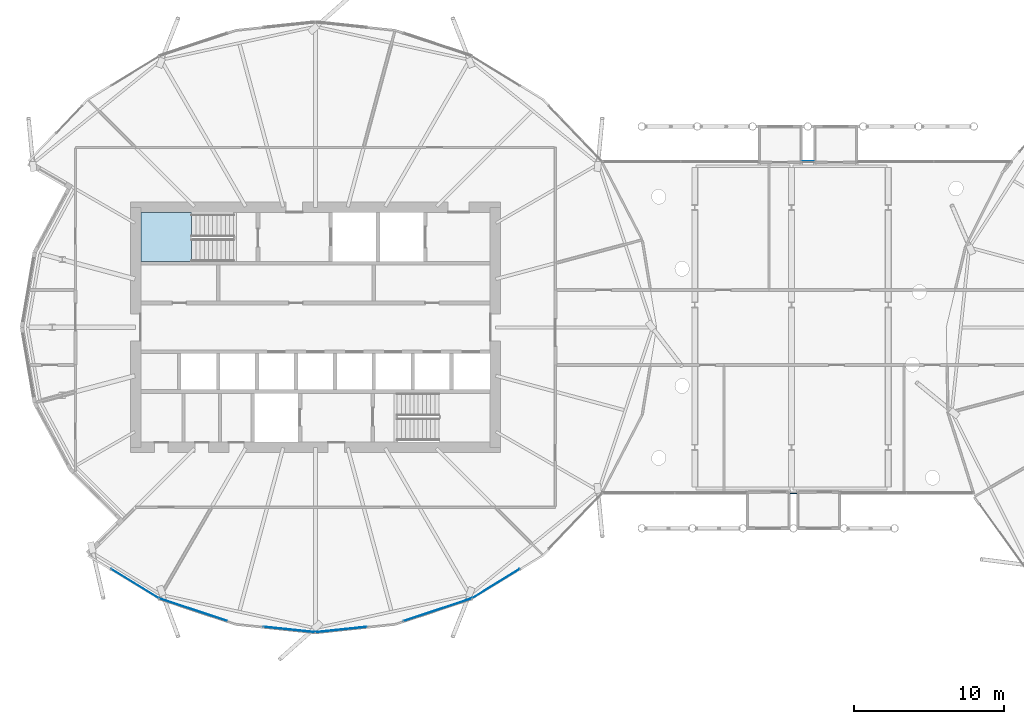
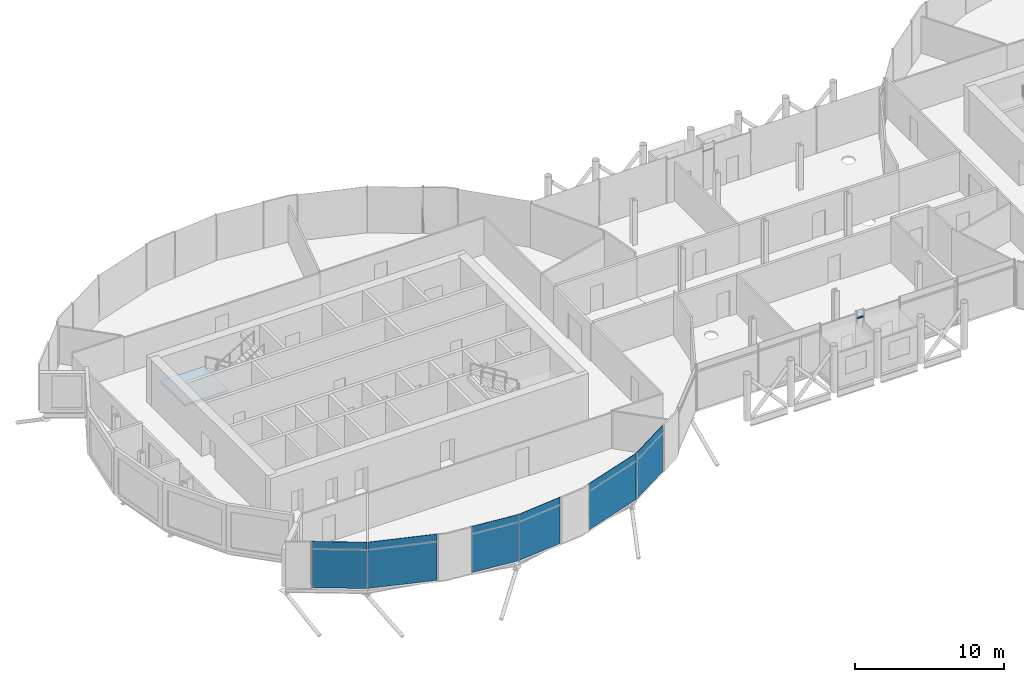
# One storey, part 18 of 39: 6 plates, 2 members, 1 slab, 4 elements without a shape of their own.
"""IFC4 building model written with IfcOpenShell, lengths in metres."""

from ifc_helpers import new_model, si_unit, direction, frame, origin, origin_2d, place, context, subcontext, project, spatial, polyline, rectangle, outline, extrude, material, layer, layer_set, material_profile, profile_set, type_object, element, aggregate, save


model = new_model("IFC4")

# Units and contexts
model_context = context("Model", 3, precision=1e-05, world=origin(), true_north=direction((0.0, 1.0)))
body_context = subcontext(model_context, "Body", "Model", "MODEL_VIEW")
ifc_project = project(units=[si_unit("LENGTHUNIT", "METRE"), si_unit("AREAUNIT", "SQUARE_METRE"), si_unit("VOLUMEUNIT", "CUBIC_METRE"), si_unit("PLANEANGLEUNIT", "RADIAN"), si_unit("MASSUNIT", "GRAM", prefix="KILO")], contexts=[model_context])

# Site, building, storey
site_placement = place(None, origin())
site = spatial("IfcSite", under=ifc_project, at=site_placement, CompositionType="ELEMENT")
building_placement = place(site_placement, origin())
building = spatial("IfcBuilding", under=site, at=building_placement, Name="Rimbun Link Towers", CompositionType="ELEMENT")
storey_placement = place(building_placement, frame((0.0, 0.0, 139.199951171875)))
storey = spatial("IfcBuildingStorey", under=building, at=storey_placement, Name="L33", CompositionType="ELEMENT", Elevation=139.199951171875)

# Curtain wall, member
ifc_material_1 = material(Name="Aluminium 6063-T6 and low-iron glass", Category="aluminium")
curtain_wall_type = type_object("IfcCurtainWallType", Name="CW4 link block wall", PredefinedType="NOTDEFINED", material=ifc_material_1)
curtain_wall_1_placement = place(storey_placement, origin())
curtain_wall_1 = element("IfcCurtainWall", 1, at=curtain_wall_1_placement, inside=storey, type_object=curtain_wall_type, Name="CW4 L33 LB", PredefinedType="NOTDEFINED")
ifc_material_2 = material(Name="Aluminium 6063-T6", Category="aluminium")
ifc_material_profile = material_profile(ifc_material_2, rectangle(XDim=0.06005859375, YDim=0.1201171875, at=origin_2d()), Name="TRANSOM 60X120")
ifc_profile_set = profile_set([ifc_material_profile], Name="Aluminium 6063-T6")
member_type = type_object("IfcMemberType", Name="CW4 transom 60X120", PredefinedType="USERDEFINED", material=ifc_profile_set)
member_1_placement = place(storey_placement, frame((0.6767578125, 11.05810546875, 3.199951171875), z_axis=(1.0, 0.0, 0.0), x_axis=(0.0, 1.0, 0.0)))
member_1 = element("IfcMember", 2, at=member_1_placement, type_object=member_type, Name="CW4 transom", ObjectType="TRANSOM", PredefinedType="USERDEFINED", context=body_context, shape_type="SweptSolid", body=[
    extrude(rectangle(XDim=0.06005859375, YDim=0.1201171875, at=origin_2d()), origin(), (0.0, 0.0, 1.0), 0.830078125),
])
aggregate(curtain_wall_1, [member_1])

curtain_wall_2_placement = place(storey_placement, origin())
curtain_wall_2 = element("IfcCurtainWall", 3, at=curtain_wall_2_placement, inside=storey, type_object=curtain_wall_type, Name="CW4 L33 LB", PredefinedType="NOTDEFINED")
member_2_placement = place(storey_placement, frame((0.38330078125, -11.05810546875, 3.199951171875), z_axis=(-1.0, 0.0, 0.0), x_axis=(0.0, -1.0, 0.0)))
member_2 = element("IfcMember", 4, at=member_2_placement, type_object=member_type, Name="CW4 transom", ObjectType="TRANSOM", PredefinedType="USERDEFINED", context=body_context, shape_type="SweptSolid", body=[
    extrude(rectangle(XDim=0.06005859375, YDim=0.1201171875, at=origin_2d()), origin(), (0.0, 0.0, 1.0), 0.509033203125),
])
aggregate(curtain_wall_2, [member_2])

# Curtain wall, plates
curtain_wall_3_placement = place(storey_placement, origin())
curtain_wall_3 = element("IfcCurtainWall", 5, at=curtain_wall_3_placement, inside=storey, type_object=curtain_wall_type, Name="CW4 L33 T1", PredefinedType="NOTDEFINED")
ifc_material_3 = material(Name="Low-iron glass, laminated low-e unit", Category="glass")
ifc_layer_1 = layer(ifc_material_3, 0.028076171875)
ifc_layer_set_1 = layer_set([ifc_layer_1], Name="CW4 panel Low-iron glass 28")
plate_type = type_object("IfcPlateType", Name="CW4 panel Low-iron glass 28", PredefinedType="CURTAIN_PANEL", material=ifc_layer_set_1)
plate_1_placement = place(storey_placement, frame((-43.7802734375, -17.088623046875, 0.0), z_axis=(0.0, 0.0, 1.0), x_axis=(-0.852194346217, 0.523225378089, 0.0)))
plate_1 = element("IfcPlate", 6, at=plate_1_placement, type_object=plate_type, Name="CW4 panel", PredefinedType="CURTAIN_PANEL", context=body_context, shape_type="SweptSolid", body=[
    extrude(rectangle(XDim=3.708740234375, YDim=0.028076171875, at=origin_2d()), origin(), (0.0, 0.0, 1.0), 3.800048828125),
])
plate_2_placement = place(storey_placement, frame((-39.89892578125, -18.82666015625, 0.0), z_axis=(0.0, 0.0, 1.0), x_axis=(-0.949234953763, 0.314567961741, 0.0)))
plate_2 = element("IfcPlate", 7, at=plate_2_placement, type_object=plate_type, Name="CW4 panel", PredefinedType="CURTAIN_PANEL", context=body_context, shape_type="SweptSolid", body=[
    extrude(rectangle(XDim=4.765869140625, YDim=0.028076171875, at=origin_2d()), origin(), (0.0, 0.0, 1.0), 3.800048828125),
])
plate_3_placement = place(storey_placement, frame((-33.478515625, -20.147705078125, 0.0), z_axis=(0.0, 0.0, 1.0), x_axis=(-0.994499069305, 0.104745411125, 0.0)))
plate_3 = element("IfcPlate", 8, at=plate_3_placement, type_object=plate_type, Name="CW4 panel", PredefinedType="CURTAIN_PANEL", context=body_context, shape_type="SweptSolid", body=[
    extrude(rectangle(XDim=3.433349609375, YDim=0.028076171875, at=origin_2d()), origin(), (0.0, 0.0, 1.0), 3.800048828125),
])
plate_4_placement = place(storey_placement, frame((-30.021484375, -20.147705078125, 0.0), z_axis=(0.0, 0.0, 1.0), x_axis=(-0.994499069305, -0.104745411125, 0.0)))
plate_4 = element("IfcPlate", 9, at=plate_4_placement, type_object=plate_type, Name="CW4 panel", PredefinedType="CURTAIN_PANEL", context=body_context, shape_type="SweptSolid", body=[
    extrude(rectangle(XDim=3.433349609375, YDim=0.028076171875, at=origin_2d()), origin(), (0.0, 0.0, 1.0), 3.800048828125),
])
plate_5_placement = place(storey_placement, frame((-23.60107421875, -18.82666015625, 0.0), z_axis=(0.0, 0.0, 1.0), x_axis=(-0.949234953763, -0.314567961741, 0.0)))
plate_5 = element("IfcPlate", 10, at=plate_5_placement, type_object=plate_type, Name="CW4 panel", PredefinedType="CURTAIN_PANEL", context=body_context, shape_type="SweptSolid", body=[
    extrude(rectangle(XDim=4.765869140625, YDim=0.028076171875, at=origin_2d()), origin(), (0.0, 0.0, 1.0), 3.800048828125),
])
plate_6_placement = place(storey_placement, frame((-19.7197265625, -17.088623046875, 0.0), z_axis=(0.0, 0.0, 1.0), x_axis=(-0.852194346217, -0.523225378089, 0.0)))
plate_6 = element("IfcPlate", 11, at=plate_6_placement, type_object=plate_type, Name="CW4 panel", PredefinedType="CURTAIN_PANEL", context=body_context, shape_type="SweptSolid", body=[
    extrude(rectangle(XDim=3.708740234375, YDim=0.028076171875, at=origin_2d()), origin(), (0.0, 0.0, 1.0), 3.800048828125),
])
aggregate(curtain_wall_3, [plate_1, plate_2, plate_3, plate_4, plate_5, plate_6])

# Stair, slab
ifc_material_4 = material(Name="Concrete C40/50", Category="concrete")
stair_type = type_object("IfcStairType", Name="Exit stair 3800 rise", PredefinedType="HALF_TURN_STAIR", material=ifc_material_4)
stair_placement = place(storey_placement, origin())
stair = element("IfcStair", 12, at=stair_placement, inside=storey, type_object=stair_type, Name="L33 EXIT STAIR A", PredefinedType="HALF_TURN_STAIR")
ifc_material_5 = material(Name="Concrete C40/50", Category="concrete")
ifc_layer_2 = layer(ifc_material_5, 0.199951171875)
ifc_layer_set_2 = layer_set([ifc_layer_2], Name="Stair landing")
slab_type = type_object("IfcSlabType", Name="Stair landing", PredefinedType="LANDING", material=ifc_layer_set_2)
slab_placement = place(storey_placement, frame((0.0, 0.0, 1.699951171875)))
slab = element("IfcSlab", 13, at=slab_placement, type_object=slab_type, Name="ST1 landing 1", PredefinedType="LANDING", context=body_context, shape_type="SweptSolid", body=[
    extrude(outline(polyline([(-40.0, 7.64990234375), (-43.39990234375, 7.64990234375), (-43.39990234375, 4.39990234375), (-40.0, 4.39990234375), (-40.0, 7.64990234375)])), origin(), (0.0, 0.0, 1.0), 0.2001953125),
])
aggregate(stair, [slab])

save(model, "model.ifc")
